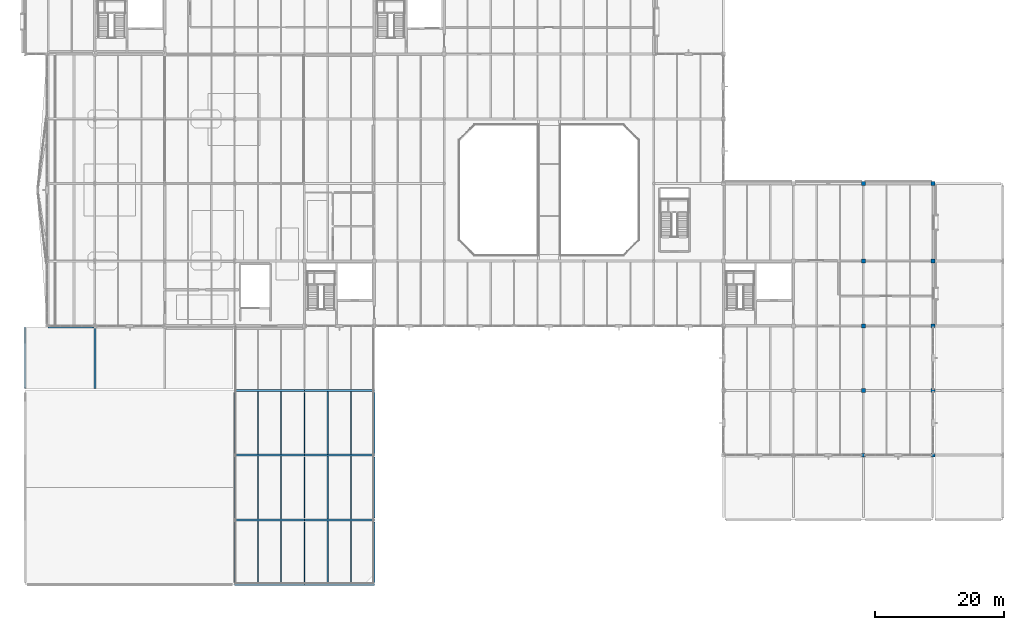
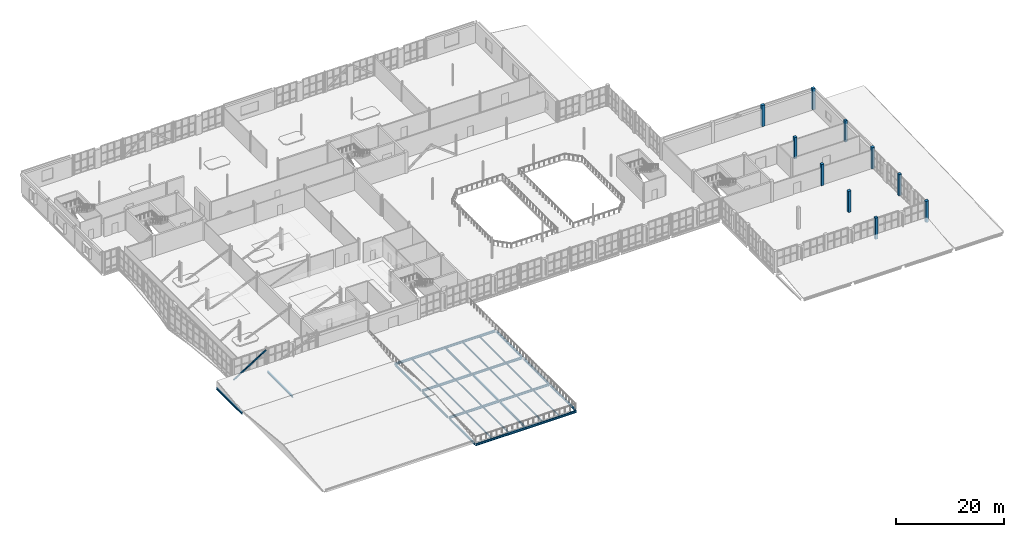
# One storey, part 13 of 100: 31 beams, 10 columns, 1 member.
"""IFC4 building model written with IfcOpenShell, lengths in metres."""

from ifc_helpers import new_model, si_unit, direction, frame, origin, origin_2d, place, context, subcontext, project, spatial, rectangle, hollow_rectangle, i_section, extrude, material, material_profile, profile_set, type_object, element, save


model = new_model("IFC4")

# Units and contexts
model_context = context("Model", 3, precision=1e-05, world=origin(), true_north=direction((0.0, 1.0)))
body_context = subcontext(model_context, "Body", "Model", "MODEL_VIEW")
ifc_project = project(units=[si_unit("LENGTHUNIT", "METRE"), si_unit("AREAUNIT", "SQUARE_METRE"), si_unit("VOLUMEUNIT", "CUBIC_METRE"), si_unit("PLANEANGLEUNIT", "RADIAN"), si_unit("MASSUNIT", "GRAM", prefix="KILO")], contexts=[model_context])

# Site, building, storey
site_placement = place(None, origin())
site = spatial("IfcSite", under=ifc_project, at=site_placement, CompositionType="ELEMENT")
building_placement = place(site_placement, origin())
building = spatial("IfcBuilding", under=site, at=building_placement, Name="Tasgan Crest Museum", CompositionType="ELEMENT")
storey_placement = place(building_placement, frame((0.0, 0.0, 9.60009765625)))
storey = spatial("IfcBuildingStorey", under=building, at=storey_placement, Name="L02", CompositionType="ELEMENT", Elevation=9.60009765625)

# Columns
ifc_material_1 = material(Name="Concrete C40/50", Category="concrete")
ifc_material_profile_1 = material_profile(ifc_material_1, rectangle(XDim=0.60009765625, YDim=0.60009765625, at=origin_2d()), Name="RC 600x600")
ifc_profile_set_1 = profile_set([ifc_material_profile_1], Name="Concrete C40/50")
column_type = type_object("IfcColumnType", Name="COL-RC600", PredefinedType="COLUMN", material=ifc_profile_set_1)
for number, where, z_axis, x_axis, name in (
    (1, (129.60009765625, 20.0, 0.0), (0.0, 0.0, 1.0), (1.0, 0.0, 0.0), "Column 13/C L02"),
    (2, (129.60009765625, 30.0, 0.0), (0.0, 0.0, 1.0), (1.0, 0.0, 0.0), "Column 13/D L02"),
    (3, (129.60009765625, 40.0, 0.0), (0.0, 0.0, 1.0), (1.0, 0.0, 0.0), "Column 13/E L02"),
    (4, (129.60009765625, 50.0, 0.0), (0.0, 0.0, 1.0), (1.0, 0.0, 0.0), "Column 13/F L02"),
    (5, (129.60009765625, 62.0, 0.0), (0.0, 0.0, 1.0), (1.0, 0.0, 0.0), "Column 13/G L02"),
    (6, (140.39990234375, 20.0, 0.0), (0.0, 0.0, 1.0), (1.0, 0.0, 0.0), "Column 14/C L02"),
    (7, (140.39990234375, 30.0, 0.0), (0.0, 0.0, 1.0), (1.0, 0.0, 0.0), "Column 14/D L02"),
    (8, (140.39990234375, 40.0, 0.0), (0.0, 0.0, 1.0), (1.0, 0.0, 0.0), "Column 14/E L02"),
    (9, (140.39990234375, 50.0, 0.0), (0.0, 0.0, 1.0), (1.0, 0.0, 0.0), "Column 14/F L02"),
    (10, (140.39990234375, 62.0, 0.0), (0.0, 0.0, 1.0), (1.0, 0.0, 0.0), "Column 14/G L02"),
):
    element("IfcColumn", number, at=place(storey_placement, frame(where, z_axis=z_axis, x_axis=x_axis)), inside=storey, type_object=column_type, Name=name, PredefinedType="COLUMN", context=body_context, shape_type="SweptSolid", body=[
        extrude(rectangle(XDim=0.60009765625, YDim=0.60009765625, at=origin_2d()), origin(), (0.0, 0.0, 1.0), 4.7998046875),
    ])

# Beams
ifc_material_2 = material(Name="Steel S355J2", Category="steel")
ifc_material_profile_2 = material_profile(ifc_material_2, i_section(OverallWidth=0.300048828125, OverallDepth=0.389892578125, WebThickness=0.010986328125, FlangeThickness=0.01904296875, FilletRadius=0.027099609375, at=origin_2d()), Name="HEA 400")
ifc_profile_set_2 = profile_set([ifc_material_profile_2], Name="Steel S355J2")
beam_type_1 = type_object("IfcBeamType", Name="BM-G-HEA400", PredefinedType="BEAM", material=ifc_profile_set_2)
beam_1_placement = place(storey_placement, frame((0.0, 30.2900390625, -0.47509765625), z_axis=(0.0, 1.0, 0.0), x_axis=(-1.0, 0.0, 0.0)))
element("IfcBeam", 11, at=beam_1_placement, inside=storey, type_object=beam_type_1, Name="Auditorium balcony foyer sloped roof beam 1 30.0", PredefinedType="BEAM", context=body_context, shape_type="SweptSolid", body=[
    extrude(i_section(OverallWidth=0.300048828125, OverallDepth=0.389892578125, WebThickness=0.010986328125, FlangeThickness=0.01904296875, FilletRadius=0.027099609375, at=origin_2d()), origin(), (0.0, 0.0, 1.0), 9.46484375),
])
beam_2_placement = place(storey_placement, frame((10.800048828125, 30.2900390625, -0.47509765625), z_axis=(0.0, 1.0, 0.0), x_axis=(-1.0, 0.0, 0.0)))
element("IfcBeam", 12, at=beam_2_placement, inside=storey, type_object=beam_type_1, Name="Auditorium balcony foyer sloped roof beam 2 30.0", PredefinedType="BEAM", context=body_context, shape_type="SweptSolid", body=[
    extrude(i_section(OverallWidth=0.300048828125, OverallDepth=0.389892578125, WebThickness=0.010986328125, FlangeThickness=0.01904296875, FilletRadius=0.027099609375, at=origin_2d()), origin(), (0.0, 0.0, 1.0), 9.364990234375),
])
ifc_material_3 = material(Name="Steel S355J2", Category="steel")
ifc_material_profile_3 = material_profile(ifc_material_3, i_section(OverallWidth=0.300048828125, OverallDepth=0.489990234375, WebThickness=0.011962890625, FlangeThickness=0.02294921875, FilletRadius=0.027099609375, at=origin_2d()), Name="HEA 500")
ifc_profile_set_3 = profile_set([ifc_material_profile_3], Name="Steel S355J2")
beam_type_2 = type_object("IfcBeamType", Name="BM-G-HEA500", PredefinedType="BEAM", material=ifc_profile_set_3)
for number, where, z_axis, x_axis, name in (
    (13, (32.404541015625, 0.0, -0.4951171875), (1.0, 0.0, 0.0), (0.0, 1.0, 0.0), "Girder L02 A 32.4-43.2"),
    (14, (43.20458984375, 0.0, -0.4951171875), (1.0, 0.0, 0.0), (0.0, 1.0, 0.0), "Girder L02 A 43.2-54.0"),
    (15, (32.404541015625, 10.0, -0.4951171875), (1.0, 0.0, 0.0), (0.0, 1.0, 0.0), "Girder L02 B 32.4-43.2"),
    (16, (43.20458984375, 10.0, -0.4951171875), (1.0, 0.0, 0.0), (0.0, 1.0, 0.0), "Girder L02 B 43.2-54.0"),
    (17, (32.404541015625, 20.0, -0.4951171875), (1.0, 0.0, 0.0), (0.0, 1.0, 0.0), "Girder L02 C 32.4-43.2"),
    (18, (43.20458984375, 20.0, -0.4951171875), (1.0, 0.0, 0.0), (0.0, 1.0, 0.0), "Girder L02 C 43.2-54.0"),
    (19, (32.404541015625, 30.0, -0.4951171875), (1.0, 0.0, 0.0), (0.0, 1.0, 0.0), "Girder L02 D 32.4-43.2"),
    (20, (43.20458984375, 30.0, -0.4951171875), (1.0, 0.0, 0.0), (0.0, 1.0, 0.0), "Girder L02 D 43.2-54.0"),
):
    element("IfcBeam", number, at=place(storey_placement, frame(where, z_axis=z_axis, x_axis=x_axis)), inside=storey, type_object=beam_type_2, Name=name, PredefinedType="BEAM", context=body_context, shape_type="SweptSolid", body=[
        extrude(i_section(OverallWidth=0.300048828125, OverallDepth=0.489990234375, WebThickness=0.011962890625, FlangeThickness=0.02294921875, FilletRadius=0.027099609375, at=origin_2d()), origin(), (0.0, 0.0, 1.0), 10.791015625),
    ])
ifc_material_4 = material(Name="Steel S355J2", Category="steel")
ifc_material_profile_4 = material_profile(ifc_material_4, i_section(OverallWidth=0.199951171875, OverallDepth=0.5, WebThickness=0.01025390625, FlangeThickness=0.01611328125, FilletRadius=0.02099609375, at=origin_2d()), Name="IPE 500")
ifc_profile_set_4 = profile_set([ifc_material_profile_4], Name="Steel S355J2")
beam_type_3 = type_object("IfcBeamType", Name="BM-G-IPE500", PredefinedType="BEAM", material=ifc_profile_set_4)
for number, where, z_axis, x_axis, name in (
    (21, (32.39990234375, 0.2900390625, -0.5), (0.0, 1.0, 0.0), (-1.0, 0.0, 0.0), "Beam L02 4 0.0-10.0"),
    (22, (32.39990234375, 10.2900390625, -0.5), (0.0, 1.0, 0.0), (-1.0, 0.0, 0.0), "Beam L02 4 10.0-20.0"),
    (23, (32.39990234375, 20.2900390625, -0.5), (0.0, 1.0, 0.0), (-1.0, 0.0, 0.0), "Beam L02 4 20.0-30.0"),
    (24, (43.199951171875, 0.2900390625, -0.5), (0.0, 1.0, 0.0), (-1.0, 0.0, 0.0), "Beam L02 5 0.0-10.0"),
    (25, (43.199951171875, 10.2900390625, -0.5), (0.0, 1.0, 0.0), (-1.0, 0.0, 0.0), "Beam L02 5 10.0-20.0"),
    (26, (43.199951171875, 20.2900390625, -0.5), (0.0, 1.0, 0.0), (-1.0, 0.0, 0.0), "Beam L02 5 20.0-30.0"),
    (27, (54.0, 0.2900390625, -0.5), (0.0, 1.0, 0.0), (-1.0, 0.0, 0.0), "Beam L02 6 0.0-10.0"),
    (28, (54.0, 10.2900390625, -0.5), (0.0, 1.0, 0.0), (-1.0, 0.0, 0.0), "Beam L02 6 10.0-20.0"),
    (29, (54.0, 20.2900390625, -0.5), (0.0, 1.0, 0.0), (-1.0, 0.0, 0.0), "Beam L02 6 20.0-30.0"),
):
    element("IfcBeam", number, at=place(storey_placement, frame(where, z_axis=z_axis, x_axis=x_axis)), inside=storey, type_object=beam_type_3, Name=name, PredefinedType="BEAM", context=body_context, shape_type="SweptSolid", body=[
        extrude(i_section(OverallWidth=0.199951171875, OverallDepth=0.5, WebThickness=0.01025390625, FlangeThickness=0.01611328125, FilletRadius=0.02099609375, at=origin_2d()), origin(), (0.0, 0.0, 1.0), 9.419921875),
    ])
ifc_material_5 = material(Name="Steel S355J2", Category="steel")
ifc_material_profile_5 = material_profile(ifc_material_5, i_section(OverallWidth=0.159912109375, OverallDepth=0.330078125, WebThickness=0.007568359375, FlangeThickness=0.011474609375, FilletRadius=0.01806640625, at=origin_2d()), Name="IPE 330")
ifc_profile_set_5 = profile_set([ifc_material_profile_5], Name="Steel S355J2")
beam_type_4 = type_object("IfcBeamType", Name="BM-J-IPE330", PredefinedType="JOIST", material=ifc_profile_set_5)
for number, where, z_axis, x_axis, name in (
    (30, (36.0, 0.14501953125, -0.4150390625), (0.0, 1.0, 0.0), (-1.0, 0.0, 0.0), "Secondary joist L02 X=36.0 Y=0.0-10.0"),
    (31, (39.60009765625, 0.14501953125, -0.4150390625), (0.0, 1.0, 0.0), (-1.0, 0.0, 0.0), "Secondary joist L02 X=39.6 Y=0.0-10.0"),
    (32, (36.0, 10.14501953125, -0.4150390625), (0.0, 1.0, 0.0), (-1.0, 0.0, 0.0), "Secondary joist L02 X=36.0 Y=10.0-20.0"),
    (33, (39.60009765625, 10.14501953125, -0.4150390625), (0.0, 1.0, 0.0), (-1.0, 0.0, 0.0), "Secondary joist L02 X=39.6 Y=10.0-20.0"),
    (34, (36.0, 20.14501953125, -0.4150390625), (0.0, 1.0, 0.0), (-1.0, 0.0, 0.0), "Secondary joist L02 X=36.0 Y=20.0-30.0"),
    (35, (39.60009765625, 20.14501953125, -0.4150390625), (0.0, 1.0, 0.0), (-1.0, 0.0, 0.0), "Secondary joist L02 X=39.6 Y=20.0-30.0"),
    (36, (46.800048828125, 0.14501953125, -0.4150390625), (0.0, 1.0, 0.0), (-1.0, 0.0, 0.0), "Secondary joist L02 X=46.8 Y=0.0-10.0"),
    (37, (50.39990234375, 0.14501953125, -0.4150390625), (0.0, 1.0, 0.0), (-1.0, 0.0, 0.0), "Secondary joist L02 X=50.4 Y=0.0-10.0"),
    (38, (46.800048828125, 10.14501953125, -0.4150390625), (0.0, 1.0, 0.0), (-1.0, 0.0, 0.0), "Secondary joist L02 X=46.8 Y=10.0-20.0"),
    (39, (50.39990234375, 10.14501953125, -0.4150390625), (0.0, 1.0, 0.0), (-1.0, 0.0, 0.0), "Secondary joist L02 X=50.4 Y=10.0-20.0"),
    (40, (46.800048828125, 20.14501953125, -0.4150390625), (0.0, 1.0, 0.0), (-1.0, 0.0, 0.0), "Secondary joist L02 X=46.8 Y=20.0-30.0"),
    (41, (50.39990234375, 20.14501953125, -0.4150390625), (0.0, 1.0, 0.0), (-1.0, 0.0, 0.0), "Secondary joist L02 X=50.4 Y=20.0-30.0"),
):
    element("IfcBeam", number, at=place(storey_placement, frame(where, z_axis=z_axis, x_axis=x_axis)), inside=storey, type_object=beam_type_4, Name=name, PredefinedType="JOIST", context=body_context, shape_type="SweptSolid", body=[
        extrude(i_section(OverallWidth=0.159912109375, OverallDepth=0.330078125, WebThickness=0.007568359375, FlangeThickness=0.011474609375, FilletRadius=0.01806640625, at=origin_2d()), origin(), (0.0, 0.0, 1.0), 9.7099609375),
    ])

# Member
ifc_material_6 = material(Name="Steel S355K2", Category="steel")
ifc_material_profile_6 = material_profile(ifc_material_6, hollow_rectangle(XDim=0.260009765625, YDim=0.260009765625, WallThickness=0.01416015625, InnerFilletRadius=0.01416015625, OuterFilletRadius=0.0283203125, at=origin_2d()), Name="SHS 260x260x14.2")
ifc_profile_set_6 = profile_set([ifc_material_profile_6], Name="Steel S355K2")
member_type = type_object("IfcMemberType", Name="TR-CANT-DIAG", PredefinedType="BRACE", material=ifc_profile_set_6)
member_placement = place(storey_placement, frame((3.60009765625, 39.800048828125, 0.0498046875), z_axis=(0.846628566691, 0.0, 0.532184244471), x_axis=(0.0, 1.0, 0.0)))
element("IfcMember", 42, at=member_placement, inside=storey, type_object=member_type, Name="Exposed transfer truss diagonal S1", PredefinedType="BRACE", context=body_context, shape_type="SweptSolid", body=[
    extrude(hollow_rectangle(XDim=0.260009765625, YDim=0.260009765625, WallThickness=0.01416015625, InnerFilletRadius=0.01416015625, OuterFilletRadius=0.0283203125, at=origin_2d()), origin(), (0.0, 0.0, 1.0), 8.26806640625),
])

save(model, "model.ifc")
